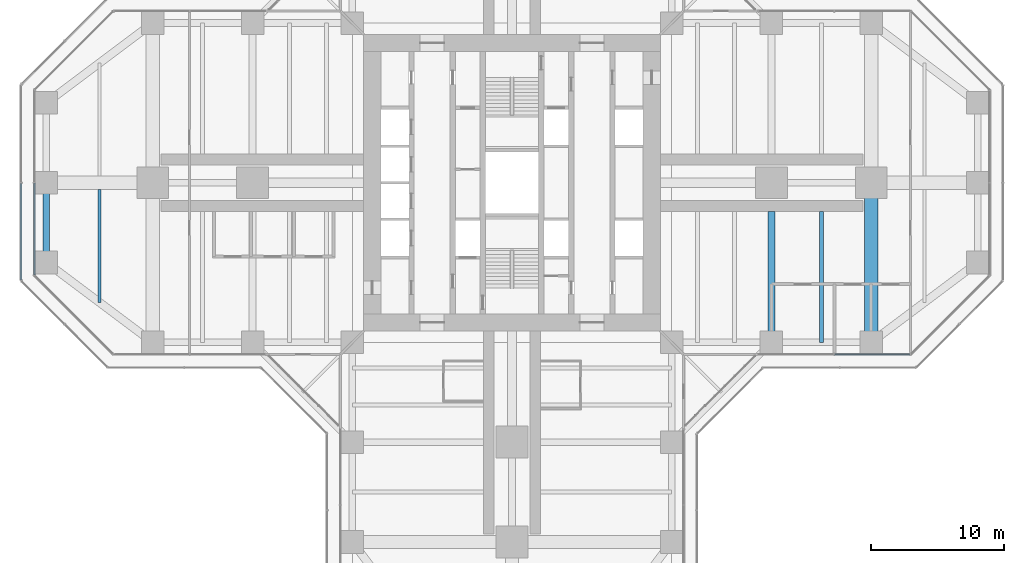
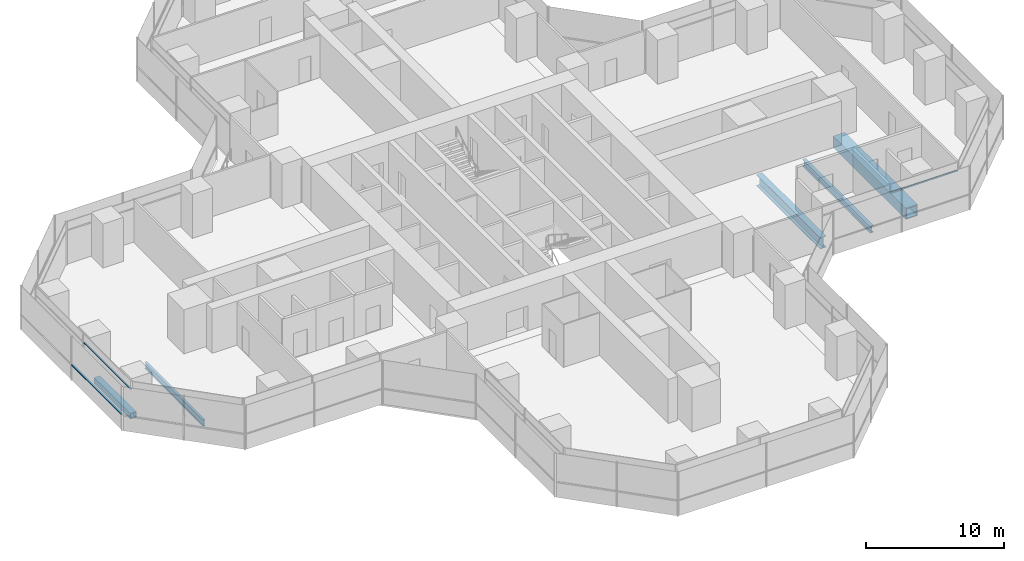
# One storey, part 7 of 22: 5 beams, 3 members, 3 elements without a shape of their own.
"""IFC4 building model written with IfcOpenShell, lengths in metres."""

from ifc_helpers import new_model, si_unit, direction, frame, origin, origin_2d, place, context, subcontext, project, spatial, rectangle, hollow_rectangle, i_section, extrude, material, material_profile, profile_set, type_object, element, aggregate, save


model = new_model("IFC4")

# Units and contexts
model_context = context("Model", 3, precision=1e-05, world=origin(), true_north=direction((0.0, 1.0)))
body_context = subcontext(model_context, "Body", "Model", "MODEL_VIEW")
ifc_project = project(units=[si_unit("LENGTHUNIT", "METRE"), si_unit("AREAUNIT", "SQUARE_METRE"), si_unit("VOLUMEUNIT", "CUBIC_METRE"), si_unit("PLANEANGLEUNIT", "RADIAN"), si_unit("MASSUNIT", "GRAM", prefix="KILO")], contexts=[model_context])

# Site, building, storey
site_placement = place(None, origin())
site = spatial("IfcSite", under=ifc_project, at=site_placement, CompositionType="ELEMENT")
building_placement = place(site_placement, origin())
building = spatial("IfcBuilding", under=site, at=building_placement, Name="Mizan Broadcast Tower", CompositionType="ELEMENT")
storey_placement = place(building_placement, frame((0.0, 0.0, 47.39990234375)))
storey = spatial("IfcBuildingStorey", under=building, at=storey_placement, Name="L08", CompositionType="ELEMENT", Elevation=47.39990234375)

# Beams
ifc_material_1 = material(Name="Steel S355", Category="steel")
ifc_material_profile_1 = material_profile(ifc_material_1, hollow_rectangle(XDim=0.5, YDim=0.5, WallThickness=0.030029296875, at=origin_2d()), Name="BOX 500x500x30")
ifc_profile_set_1 = profile_set([ifc_material_profile_1], Name="Steel S355")
beam_type_1 = type_object("IfcBeamType", Name="EDGE BEAM BOX 500x500x30", PredefinedType="SPANDREL", material=ifc_profile_set_1)
beam_1_placement = place(storey_placement, frame((-35.0, -5.639892578125, -0.3798828125), z_axis=(0.0, 1.0, 0.0), x_axis=(-1.0, 0.0, 0.0)))
element("IfcBeam", 1, at=beam_1_placement, inside=storey, type_object=beam_type_1, Name="Edge beam BOX 500x500x30 L08 west arm", PredefinedType="SPANDREL", context=body_context, shape_type="SweptSolid", body=[
    extrude(hollow_rectangle(XDim=0.5, YDim=0.5, WallThickness=0.030029296875, at=origin_2d()), origin(), (0.0, 0.0, 1.0), 5.27978515625),
])
ifc_material_2 = material(Name="Steel S460", Category="steel")
ifc_material_profile_2 = material_profile(ifc_material_2, hollow_rectangle(XDim=1.0, YDim=1.0, WallThickness=0.080078125, at=origin_2d()), Name="BOX 1000x1000x80")
ifc_profile_set_2 = profile_set([ifc_material_profile_2], Name="Steel S460")
beam_type_2 = type_object("IfcBeamType", Name="GIRDER BOX 1000x1000x80", PredefinedType="BEAM", material=ifc_profile_set_2)
beam_2_placement = place(storey_placement, frame((27.0, -11.280029296875, -0.6298828125), z_axis=(0.0, 1.0, 0.0), x_axis=(-1.0, 0.0, 0.0)))
element("IfcBeam", 2, at=beam_2_placement, inside=storey, type_object=beam_type_2, Name="Girder BOX 1000x1000x80 L08 east arm", PredefinedType="BEAM", context=body_context, shape_type="SweptSolid", body=[
    extrude(hollow_rectangle(XDim=1.0, YDim=1.0, WallThickness=0.080078125, at=origin_2d()), origin(), (0.0, 0.0, 1.0), 10.56005859375),
])
ifc_material_3 = material(Name="Steel S460", Category="steel")
ifc_material_profile_3 = material_profile(ifc_material_3, i_section(OverallWidth=0.5, OverallDepth=1.0, WebThickness=0.02490234375, FlangeThickness=0.050048828125, at=origin_2d()), Name="WPG 1000x500")
ifc_profile_set_3 = profile_set([ifc_material_profile_3], Name="Steel S460")
beam_type_3 = type_object("IfcBeamType", Name="GIRDER WPG 1000x500", PredefinedType="BEAM", material=ifc_profile_set_3)
beam_3_placement = place(storey_placement, frame((19.5, -11.408935546875, -0.6298828125), z_axis=(0.0, 1.0, 0.0), x_axis=(-1.0, 0.0, 0.0)))
element("IfcBeam", 3, at=beam_3_placement, inside=storey, type_object=beam_type_3, Name="Girder WPG 1000x500 L08 east arm", PredefinedType="BEAM", context=body_context, shape_type="SweptSolid", body=[
    extrude(i_section(OverallWidth=0.5, OverallDepth=1.0, WebThickness=0.02490234375, FlangeThickness=0.050048828125, at=origin_2d()), origin(), (0.0, 0.0, 1.0), 9.259033203125),
])

# Curtain wall, member
ifc_material_4 = material(Name="Aluminium framed glazing", Category="aluminium")
curtain_wall_type_1 = type_object("IfcCurtainWallType", Name="INNER SKIN LOW ZONE", PredefinedType="USERDEFINED", material=ifc_material_4)
curtain_wall_1_placement = place(storey_placement, origin())
curtain_wall_1 = element("IfcCurtainWall", 4, at=curtain_wall_1_placement, inside=storey, type_object=curtain_wall_type_1, Name="Inner skin low zone L08 E side", ObjectType="INNER SKIN LOW ZONE", PredefinedType="USERDEFINED")
ifc_material_5 = material(Name="Aluminium, pale anodised", Category="aluminium")
ifc_material_profile_4 = material_profile(ifc_material_5, rectangle(XDim=0.1201171875, YDim=0.06005859375, at=origin_2d()), Name="TRANSOM 120x60")
ifc_profile_set_4 = profile_set([ifc_material_profile_4], Name="Aluminium, pale anodised")
member_type_1 = type_object("IfcMemberType", Name="INNER SKIN TRANSOM 60x120", PredefinedType="USERDEFINED", material=ifc_profile_set_4)
member_1_placement = place(storey_placement, frame((24.25927734375, -12.89990234375, 3.030029296875), z_axis=(1.0, 0.0, 0.0), x_axis=(0.0, 1.0, 0.0)))
member_1 = element("IfcMember", 5, at=member_1_placement, type_object=member_type_1, Name="Inner skin low zone L08 E side transom 2.1", ObjectType="TRANSOM", PredefinedType="USERDEFINED", context=body_context, shape_type="SweptSolid", body=[
    extrude(rectangle(XDim=0.1201171875, YDim=0.06005859375, at=origin_2d()), origin(), (0.0, 0.0, 1.0), 5.639404296875),
])
aggregate(curtain_wall_1, [member_1])

curtain_wall_2_placement = place(storey_placement, origin())
curtain_wall_2 = element("IfcCurtainWall", 6, at=curtain_wall_2_placement, inside=storey, type_object=curtain_wall_type_1, Name="Inner skin low zone L08 W end", ObjectType="INNER SKIN LOW ZONE", PredefinedType="USERDEFINED")
member_2_placement = place(storey_placement, frame((-35.89990234375, -0.030029296875, 3.030029296875), z_axis=(0.0, -1.0, 0.0), x_axis=(1.0, 0.0, 0.0)))
member_2 = element("IfcMember", 7, at=member_2_placement, type_object=member_type_1, Name="Inner skin low zone L08 W end transom 2.1", ObjectType="TRANSOM", PredefinedType="USERDEFINED", context=body_context, shape_type="SweptSolid", body=[
    extrude(rectangle(XDim=0.1201171875, YDim=0.06005859375, at=origin_2d()), origin(), (0.0, 0.0, 1.0), 6.86865234375),
])
aggregate(curtain_wall_2, [member_2])

ifc_material_6 = material(Name="Aluminium framed glazing", Category="aluminium")
curtain_wall_type_2 = type_object("IfcCurtainWallType", Name="OUTER SKIN", PredefinedType="USERDEFINED", material=ifc_material_6)
curtain_wall_3_placement = place(storey_placement, origin())
curtain_wall_3 = element("IfcCurtainWall", 8, at=curtain_wall_3_placement, inside=storey, type_object=curtain_wall_type_2, Name="Outer skin L08 W end", ObjectType="OUTER SKIN", PredefinedType="USERDEFINED")
ifc_material_7 = material(Name="Aluminium, pale anodised", Category="aluminium")
ifc_material_profile_5 = material_profile(ifc_material_7, rectangle(XDim=0.159912109375, YDim=0.06005859375, at=origin_2d()), Name="TRANSOM 160x60")
ifc_profile_set_5 = profile_set([ifc_material_profile_5], Name="Aluminium, pale anodised")
member_type_2 = type_object("IfcMemberType", Name="OUTER SKIN TRANSOM 60x160", PredefinedType="USERDEFINED", material=ifc_profile_set_5)
member_3_placement = place(storey_placement, frame((-36.89990234375, -0.0400390625, 1.400146484375), z_axis=(0.0, -1.0, 0.0), x_axis=(1.0, 0.0, 0.0)))
member_3 = element("IfcMember", 9, at=member_3_placement, type_object=member_type_2, Name="Outer skin L08 W end transom 2.1", ObjectType="TRANSOM", PredefinedType="USERDEFINED", context=body_context, shape_type="SweptSolid", body=[
    extrude(rectangle(XDim=0.159912109375, YDim=0.06005859375, at=origin_2d()), origin(), (0.0, 0.0, 1.0), 7.252685546875),
])
aggregate(curtain_wall_3, [member_3])

# Beams
ifc_material_8 = material(Name="Steel S355", Category="steel")
ifc_material_profile_6 = material_profile(ifc_material_8, i_section(OverallWidth=0.300048828125, OverallDepth=0.590087890625, WebThickness=0.012939453125, FlangeThickness=0.02490234375, FilletRadius=0.027099609375, at=origin_2d()), Name="HEA 600")
ifc_profile_set_6 = profile_set([ifc_material_profile_6], Name="Steel S355")
beam_type_4 = type_object("IfcBeamType", Name="SECONDARY BEAM HEA 600", PredefinedType="JOIST", material=ifc_profile_set_6)
beam_4_placement = place(storey_placement, frame((23.25, -12.0, -0.4248046875), z_axis=(0.0, 1.0, 0.0), x_axis=(-1.0, 0.0, 0.0)))
element("IfcBeam", 10, at=beam_4_placement, inside=storey, type_object=beam_type_4, Name="Secondary beam HEA 600 L08 east arm", PredefinedType="JOIST", context=body_context, shape_type="SweptSolid", body=[
    extrude(i_section(OverallWidth=0.300048828125, OverallDepth=0.590087890625, WebThickness=0.012939453125, FlangeThickness=0.02490234375, FilletRadius=0.027099609375, at=origin_2d()), origin(), (0.0, 0.0, 1.0), 9.85009765625),
])
ifc_material_9 = material(Name="Steel S355", Category="steel")
ifc_material_profile_7 = material_profile(ifc_material_9, i_section(OverallWidth=0.2099609375, OverallDepth=0.550048828125, WebThickness=0.010986328125, FlangeThickness=0.01708984375, FilletRadius=0.02392578125, at=origin_2d()), Name="IPE 550")
ifc_profile_set_7 = profile_set([ifc_material_profile_7], Name="Steel S355")
beam_type_5 = type_object("IfcBeamType", Name="SECONDARY BEAM IPE 550", PredefinedType="JOIST", material=ifc_profile_set_7)
beam_5_placement = place(storey_placement, frame((-31.0, -9.0, -0.40478515625), z_axis=(0.0, 1.0, 0.0), x_axis=(-1.0, 0.0, 0.0)))
element("IfcBeam", 11, at=beam_5_placement, inside=storey, type_object=beam_type_5, Name="Secondary beam IPE 550 L08 west arm", PredefinedType="JOIST", context=body_context, shape_type="SweptSolid", body=[
    extrude(i_section(OverallWidth=0.2099609375, OverallDepth=0.550048828125, WebThickness=0.010986328125, FlangeThickness=0.01708984375, FilletRadius=0.02392578125, at=origin_2d()), origin(), (0.0, 0.0, 1.0), 8.5),
])

save(model, "model.ifc")
